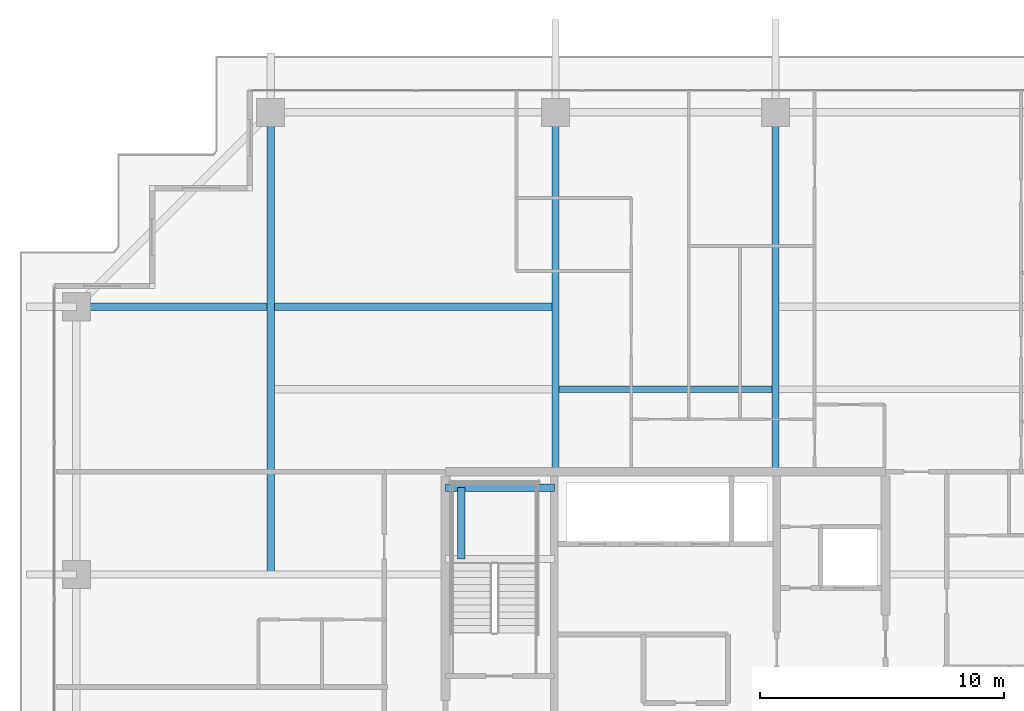
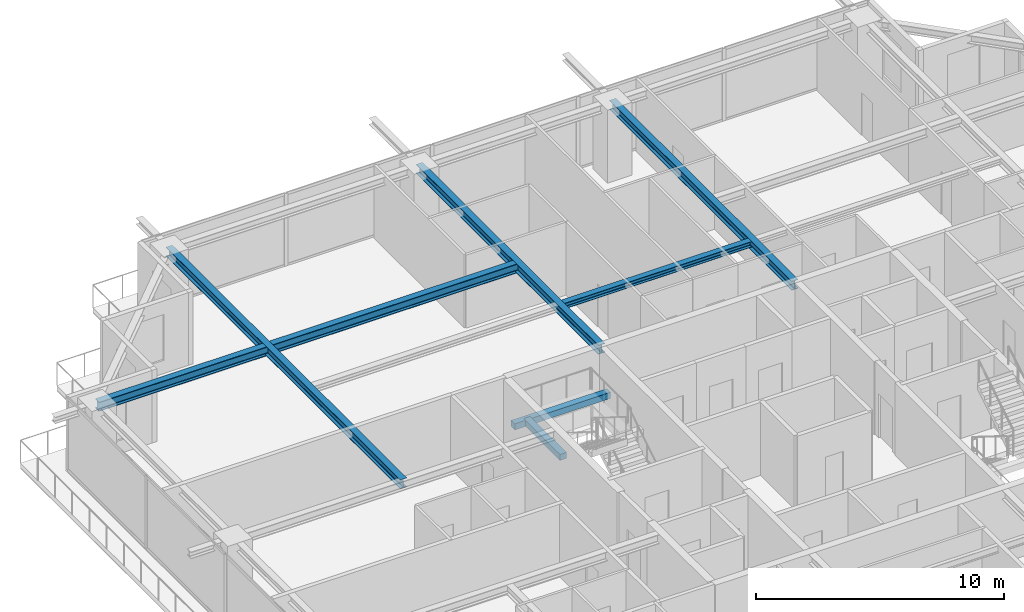
# One storey, part 19 of 37: 7 beams.
"""IFC4 building model written with IfcOpenShell, lengths in metres."""

from ifc_helpers import new_model, si_unit, direction, frame, origin, origin_2d, place, context, subcontext, project, spatial, rectangle, i_section, extrude, source, transform, mapped, material, material_profile, profile_set, type_object, element, save


model = new_model("IFC4")

# Units and contexts
model_context = context("Model", 3, precision=1e-05, world=origin(), true_north=direction((0.0, 1.0)))
body_context = subcontext(model_context, "Body", "Model", "MODEL_VIEW")
ifc_project = project(units=[si_unit("LENGTHUNIT", "METRE"), si_unit("AREAUNIT", "SQUARE_METRE"), si_unit("VOLUMEUNIT", "CUBIC_METRE"), si_unit("PLANEANGLEUNIT", "RADIAN"), si_unit("MASSUNIT", "GRAM", prefix="KILO")], contexts=[model_context])

# Site, building, storey
site_placement = place(None, origin())
site = spatial("IfcSite", under=ifc_project, at=site_placement, CompositionType="ELEMENT")
building_placement = place(site_placement, origin())
building = spatial("IfcBuilding", under=site, at=building_placement, Name="Serunith Strait Residences", CompositionType="ELEMENT")
storey_placement = place(building_placement, frame((0.0, 0.0, 260.5)))
storey = spatial("IfcBuildingStorey", under=building, at=storey_placement, Name="L65", CompositionType="ELEMENT", Elevation=260.5)

# Beams
ifc_material_1 = material(Name="Steel S355J2", Category="steel")
ifc_material_profile_1 = material_profile(ifc_material_1, i_section(OverallWidth=0.280029296875, OverallDepth=0.280029296875, WebThickness=0.010498046875, FlangeThickness=0.01806640625, FilletRadius=0.02392578125, at=origin_2d()), Name="HEB 280")
ifc_profile_set_1 = profile_set([ifc_material_profile_1], Name="Steel S355J2")
beam_type_1 = type_object("IfcBeamType", Name="BM-HEB280", PredefinedType="JOIST", material=ifc_profile_set_1)
shared_shape_1 = source(origin(), body_context, "Body", "SweptSolid", [
    extrude(i_section(OverallWidth=0.280029296875, OverallDepth=0.280029296875, WebThickness=0.010498046875, FlangeThickness=0.01806640625, FilletRadius=0.02392578125, at=origin_2d()), origin(), (0.0, 0.0, 1.0), 8.699951171875),
])
beam_1_placement = place(storey_placement, frame((28.050048828125, 36.97509765625, 3.447021484375), z_axis=(1.0, 0.0, 0.0), x_axis=(0.0, 1.0, 0.0)))
element("IfcBeam", 1, at=beam_1_placement, inside=storey, type_object=beam_type_1, Name="L65 Composite Floor Joist 05", PredefinedType="JOIST", context=body_context, shape_type="MappedRepresentation", body=[
    mapped(shared_shape_1, transform((0.0, 0.0, 0.0), scale=1.0)),
])
ifc_material_profile_2 = material_profile(ifc_material_1, i_section(OverallWidth=0.300048828125, OverallDepth=0.449951171875, WebThickness=0.013916015625, FlangeThickness=0.02587890625, FilletRadius=0.027099609375, at=origin_2d()), Name="HEB 450")
ifc_profile_set_2 = profile_set([ifc_material_profile_2], Name="Steel S355J2")
beam_type_2 = type_object("IfcBeamType", Name="BM-HEB450", PredefinedType="BEAM", material=ifc_profile_set_2)
shared_shape_2 = source(origin(), body_context, "Body", "SweptSolid", [
    extrude(i_section(OverallWidth=0.300048828125, OverallDepth=0.449951171875, WebThickness=0.013916015625, FlangeThickness=0.02587890625, FilletRadius=0.027099609375, at=origin_2d()), origin(), (0.0, 0.0, 1.0), 14.699951171875),
])
for number, where, z_axis, x_axis, name in (
    (2, (27.89990234375, 33.60009765625, 3.362060546875), (0.0, 1.0, 0.0), (-1.0, 0.0, 0.0), "L65 Primary Floor Girder TC-N2"),
    (3, (36.89990234375, 33.60009765625, 3.362060546875), (0.0, 1.0, 0.0), (-1.0, 0.0, 0.0), "L65 Primary Floor Girder TC-N3"),
):
    element("IfcBeam", number, at=place(storey_placement, frame(where, z_axis=z_axis, x_axis=x_axis)), inside=storey, type_object=beam_type_2, Name=name, PredefinedType="BEAM", context=body_context, shape_type="MappedRepresentation", body=[
        mapped(shared_shape_2, transform((0.0, 0.0, 0.0), scale=1.0)),
    ])
shared_shape_3 = source(origin(), body_context, "Body", "SweptSolid", [
    extrude(i_section(OverallWidth=0.300048828125, OverallDepth=0.449951171875, WebThickness=0.013916015625, FlangeThickness=0.02587890625, FilletRadius=0.027099609375, at=origin_2d()), origin(), (0.0, 0.0, 1.0), 18.900146484375),
])
beam_2_placement = place(storey_placement, frame((16.25, 29.39990234375, 3.362060546875), z_axis=(0.0, 1.0, 0.0), x_axis=(-1.0, 0.0, 0.0)))
element("IfcBeam", 4, at=beam_2_placement, inside=storey, type_object=beam_type_2, Name="L65 Orthogonal Corner Girder TC-N1", PredefinedType="BEAM", context=body_context, shape_type="MappedRepresentation", body=[
    mapped(shared_shape_3, transform((0.0, 0.0, 0.0), scale=1.0)),
])
shared_shape_4 = source(origin(), body_context, "Body", "SweptSolid", [
    extrude(i_section(OverallWidth=0.300048828125, OverallDepth=0.449951171875, WebThickness=0.013916015625, FlangeThickness=0.02587890625, FilletRadius=0.027099609375, at=origin_2d()), origin(), (0.0, 0.0, 1.0), 19.599853515625),
])
beam_3_placement = place(storey_placement, frame((27.89990234375, 40.35009765625, 3.362060546875), z_axis=(-1.0, 0.0, 0.0), x_axis=(0.0, -1.0, 0.0)))
element("IfcBeam", 5, at=beam_3_placement, inside=storey, type_object=beam_type_2, Name="L65 Orthogonal Corner Girder TC-W4", PredefinedType="BEAM", context=body_context, shape_type="MappedRepresentation", body=[
    mapped(shared_shape_4, transform((0.0, 0.0, 0.0), scale=1.0)),
])
ifc_material_2 = material(Name="Concrete C60/75", Category="concrete")
ifc_material_profile_3 = material_profile(ifc_material_2, rectangle(XDim=0.300048828125, YDim=0.300048828125, at=origin_2d()), Name="RC 300x300")
ifc_profile_set_3 = profile_set([ifc_material_profile_3], Name="Concrete C60/75")
beam_type_3 = type_object("IfcBeamType", Name="BM-LAND-300x300", PredefinedType="BEAM", material=ifc_profile_set_3)
shared_shape_5 = source(origin(), body_context, "Body", "SweptSolid", [
    extrude(rectangle(XDim=0.300048828125, YDim=0.300048828125, at=origin_2d()), origin(), (0.0, 0.0, 1.0), 4.4501953125),
])
beam_4_placement = place(storey_placement, frame((23.39990234375, 32.949951171875, 1.574951171875), z_axis=(1.0, 0.0, 0.0), x_axis=(0.0, 1.0, 0.0)))
element("IfcBeam", 6, at=beam_4_placement, inside=storey, type_object=beam_type_3, Name="L65 ST-1 Landing Support Beam 2", PredefinedType="BEAM", context=body_context, shape_type="MappedRepresentation", body=[
    mapped(shared_shape_5, transform((0.0, 0.0, 0.0), scale=1.0)),
])
shared_shape_6 = source(origin(), body_context, "Body", "SweptSolid", [
    extrude(rectangle(XDim=0.300048828125, YDim=0.300048828125, at=origin_2d()), origin(), (0.0, 0.0, 1.0), 2.919921875),
])
beam_5_placement = place(storey_placement, frame((24.050048828125, 30.030029296875, 1.574951171875), z_axis=(0.0, 1.0, 0.0), x_axis=(-1.0, 0.0, 0.0)))
element("IfcBeam", 7, at=beam_5_placement, inside=storey, type_object=beam_type_3, Name="L65 ST-1 Landing Transverse Tie Beam", PredefinedType="BEAM", context=body_context, shape_type="MappedRepresentation", body=[
    mapped(shared_shape_6, transform((0.0, 0.0, 0.0), scale=1.0)),
])

save(model, "model.ifc")
